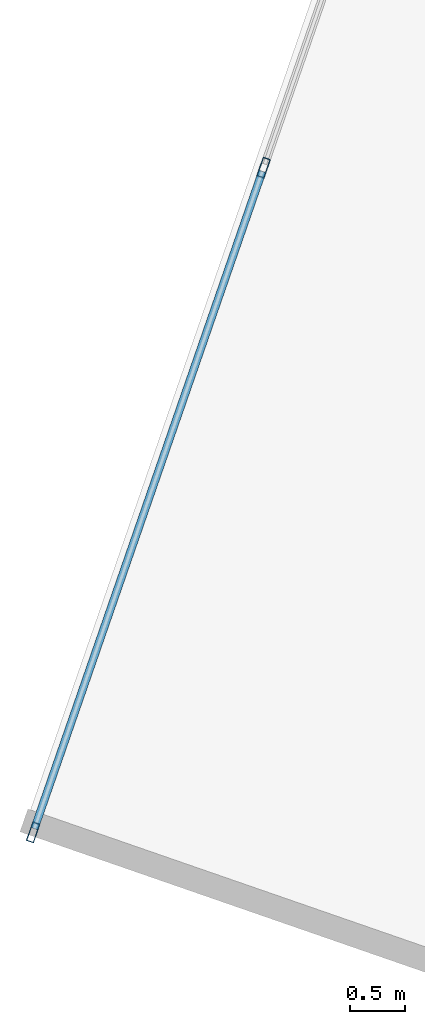
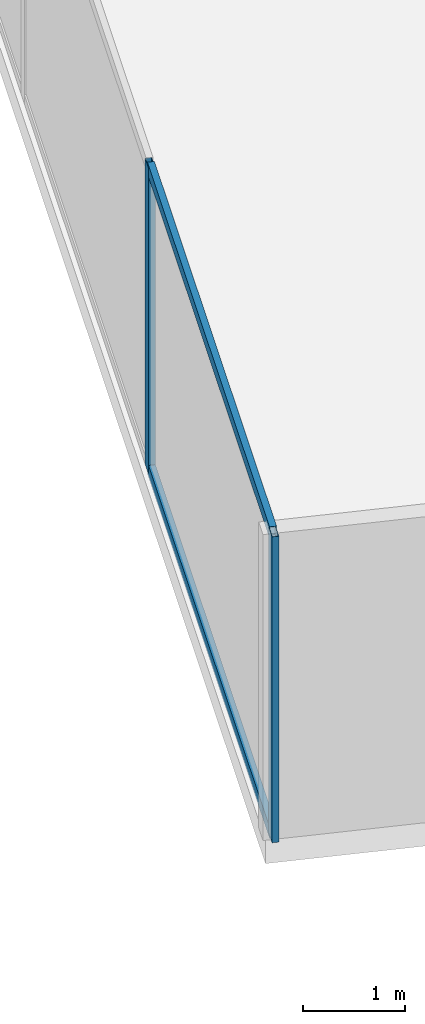
# One storey, part 6 of 27: 4 members, 1 element without a shape of its own.
"""IFC4 building model written with IfcOpenShell, lengths in metres."""

from ifc_helpers import new_model, si_unit, direction, frame, origin, origin_2d, place, context, subcontext, project, spatial, hollow_rectangle, extrude, source, transform, mapped, material, material_profile, profile_set, type_object, type_shapes, element, aggregate, save


model = new_model("IFC4")

# Units and contexts
model_context = context("Model", 3, precision=1e-05, world=origin(), true_north=direction((0.0, 1.0)))
body_context = subcontext(model_context, "Body", "Model", "MODEL_VIEW")
ifc_project = project(units=[si_unit("LENGTHUNIT", "METRE"), si_unit("AREAUNIT", "SQUARE_METRE"), si_unit("VOLUMEUNIT", "CUBIC_METRE"), si_unit("PLANEANGLEUNIT", "RADIAN"), si_unit("MASSUNIT", "GRAM", prefix="KILO")], contexts=[model_context])

# Site, building, storey
site_placement = place(None, origin())
site = spatial("IfcSite", under=ifc_project, at=site_placement, CompositionType="ELEMENT")
building_placement = place(site_placement, origin())
building = spatial("IfcBuilding", under=site, at=building_placement, Name="Krantzveldt Concourse Tower", CompositionType="ELEMENT")
storey_placement = place(building_placement, frame((0.0, 0.0, 121.64990234375)))
storey = spatial("IfcBuildingStorey", under=building, at=storey_placement, Name="L29", CompositionType="ELEMENT", Elevation=121.64990234375)

# Curtain wall, members
ifc_material = material(Name="Anodised aluminium 6063-T6", Category="aluminium")
curtain_wall_type = type_object("IfcCurtainWallType", Name="CW2", PredefinedType="USERDEFINED", material=ifc_material)
curtain_wall_placement = place(storey_placement, origin())
curtain_wall = element("IfcCurtainWall", 1, at=curtain_wall_placement, inside=storey, type_object=curtain_wall_type, Name="CW-L29-F01", ObjectType="UNITISED CURTAIN WALL", PredefinedType="USERDEFINED")
ifc_material_profile_1 = material_profile(ifc_material, hollow_rectangle(XDim=0.070068359375, YDim=0.179931640625, WallThickness=0.0048828125, at=origin_2d()), Name="Anodised aluminium 6063-T6", Category="aluminium")
ifc_profile_set_1 = profile_set([ifc_material_profile_1], Name="Anodised aluminium 6063-T6 - ALU-MULL 180x70x5")
member_type_1 = type_object("IfcMemberType", Name="CW-MUL-180", PredefinedType="MULLION", material=ifc_profile_set_1)
shared_shape_1 = source(origin(), body_context, "Body", "SweptSolid", [
    extrude(hollow_rectangle(XDim=0.070068359375, YDim=0.179931640625, WallThickness=0.0048828125, at=origin_2d()), origin(), (0.0, 0.0, 1.0), 3.670166015625),
])
type_shapes(member_type_1, [shared_shape_1])
member_1_placement = place(storey_placement, frame((9.7392578125, 22.11767578125, 0.0), z_axis=(0.0, 0.0, 1.0), x_axis=(0.944806041446, -0.32763019404, 0.0)))
member_1 = element("IfcMember", 2, at=member_1_placement, type_object=member_type_1, Name="CW-Z12 mullion 6", PredefinedType="MULLION", context=body_context, shape_type="MappedRepresentation", body=[
    mapped(shared_shape_1, transform((0.0, 0.0, 0.0), x_axis=(1.0, 0.0, 0.0), y_axis=(0.0, 1.0, 0.0), z_axis=(0.0, 0.0, 1.0), scale=1.0)),
])
member_2_placement = place(storey_placement, frame((7.632080078125, 16.040771484375, 0.0), z_axis=(0.0, 0.0, 1.0), x_axis=(0.944806041446, -0.32763019404, 0.0)))
member_2 = element("IfcMember", 3, at=member_2_placement, type_object=member_type_1, Name="CW-Z12 mullion 7", PredefinedType="MULLION", context=body_context, shape_type="MappedRepresentation", body=[
    mapped(shared_shape_1, transform((0.0, 0.0, 0.0), x_axis=(1.0, 0.0, 0.0), y_axis=(0.0, 1.0, 0.0), z_axis=(0.0, 0.0, 1.0), scale=1.0)),
])
ifc_material_profile_2 = material_profile(ifc_material, hollow_rectangle(XDim=0.070068359375, YDim=0.139892578125, WallThickness=0.0048828125, at=origin_2d()), Name="Anodised aluminium 6063-T6", Category="aluminium")
ifc_profile_set_2 = profile_set([ifc_material_profile_2], Name="Anodised aluminium 6063-T6 - ALU-TRAN 140x70x5")
member_type_2 = type_object("IfcMemberType", Name="CW-TRN-150", PredefinedType="USERDEFINED", material=ifc_profile_set_2)
shared_shape_2 = source(origin(), body_context, "Body", "SweptSolid", [
    extrude(hollow_rectangle(XDim=0.070068359375, YDim=0.139892578125, WallThickness=0.0048828125, at=origin_2d()), origin(), (0.0, 0.0, 1.0), 6.361572265625),
])
type_shapes(member_type_2, [shared_shape_2])
member_3_placement = place(storey_placement, frame((9.727783203125, 22.08447265625, 0.03515625), z_axis=(-0.327625894764, -0.944807532294, 0.0), x_axis=(0.944807532294, -0.327625894764, 0.0)))
member_3 = element("IfcMember", 4, at=member_3_placement, type_object=member_type_2, Name="CW-Z12 transom 6.1", ObjectType="TRANSOM", PredefinedType="USERDEFINED", context=body_context, shape_type="MappedRepresentation", body=[
    mapped(shared_shape_2, transform((0.0, 0.0, 0.0), x_axis=(1.0, 0.0, 0.0), y_axis=(0.0, 1.0, 0.0), z_axis=(0.0, 0.0, 1.0), scale=1.0)),
])
member_4_placement = place(storey_placement, frame((9.727783203125, 22.08447265625, 3.635009765625), z_axis=(-0.327625894764, -0.944807532294, 0.0), x_axis=(0.944807532294, -0.327625894764, 0.0)))
member_4 = element("IfcMember", 5, at=member_4_placement, type_object=member_type_2, Name="CW-Z12 transom 6.2", ObjectType="TRANSOM", PredefinedType="USERDEFINED", context=body_context, shape_type="MappedRepresentation", body=[
    mapped(shared_shape_2, transform((0.0, 0.0, 0.0), x_axis=(1.0, 0.0, 0.0), y_axis=(0.0, 1.0, 0.0), z_axis=(0.0, 0.0, 1.0), scale=1.0)),
])
aggregate(curtain_wall, [member_1, member_2, member_3, member_4])

save(model, "model.ifc")
